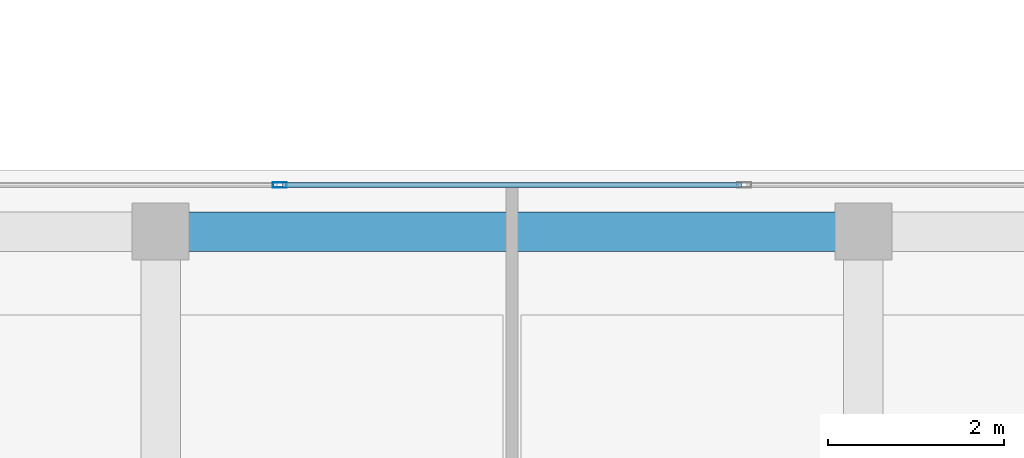
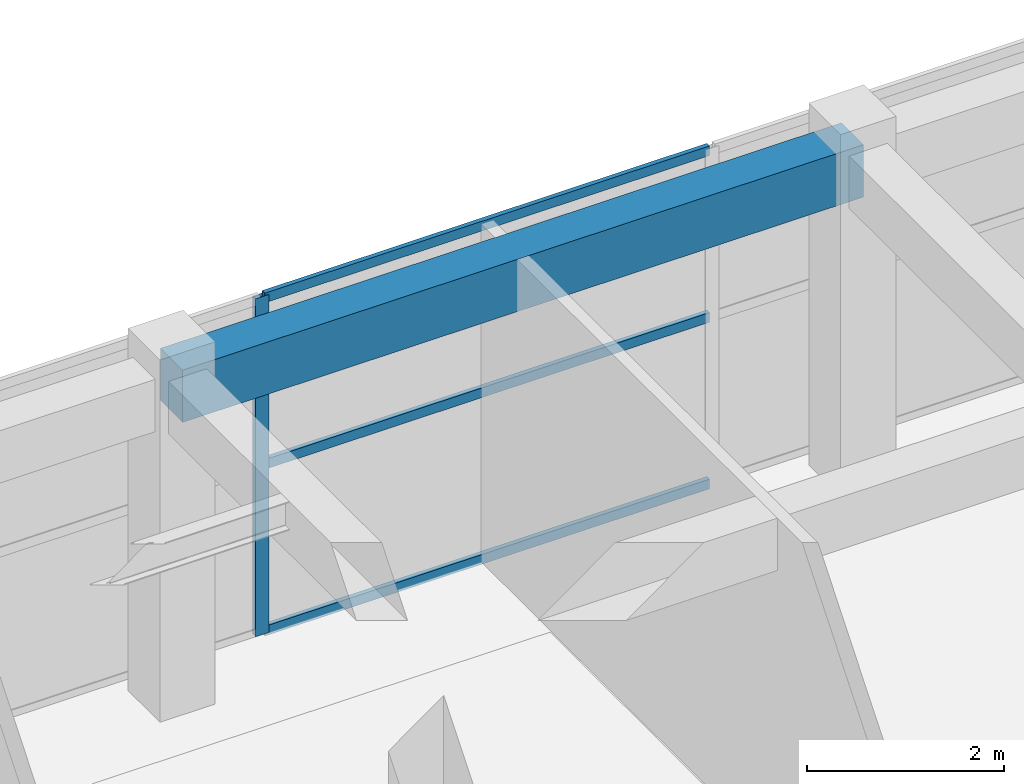
# One storey, part 15 of 28: 4 members, 1 beam, 1 element without a shape of its own.
"""IFC4 building model written with IfcOpenShell, lengths in metres."""

import ifcopenshell
import ifcopenshell.guid

model = None  # the IFC model being written
_history = None  # IfcOwnerHistory: only IFC2X3 demands one
_inside = {}  # id of a spatial element -> (the spatial element, [elements in it])
_under = {}  # id of a project, library or spatial element -> (it, [spatial elements below it])
_declared = {}  # id of a project -> (the project, [libraries it declares])
_typed = {}  # id of a type object -> (the type object, [elements of that type])
_made_of = {}  # id of a material, layer set ... -> (it, [elements and type objects made of it])


def new_model(schema):
    """Start an empty IFC model of exactly this schema.

    Asked for "IFC4X3", IfcOpenShell would pick the latest addendum, in which some entities
    have other attributes; the version numbers below select the first issue.
    IFC2X3 requires an IfcOwnerHistory on every rooted entity: one is made here for all.
    """
    global model, _history
    if schema == "IFC4X3":
        model = ifcopenshell.file(schema_version=(4, 3, 0, 0))
    else:
        model = ifcopenshell.file(schema=schema)
    _inside.clear()
    _under.clear()
    _declared.clear()
    _typed.clear()
    _made_of.clear()
    _history = None
    if model.schema == "IFC2X3":
        org = make("IfcOrganization", Name="unknown")
        user = make(
            "IfcPersonAndOrganization",
            ThePerson=make("IfcPerson", FamilyName="unknown"),
            TheOrganization=org,
        )
        app = make(
            "IfcApplication",
            ApplicationDeveloper=org,
            Version="unknown",
            ApplicationFullName="unknown",
            ApplicationIdentifier="unknown",
        )
        _history = make(
            "IfcOwnerHistory",
            OwningUser=user,
            OwningApplication=app,
            ChangeAction="ADDED",
            CreationDate=0,
        )
    return model


def make(cls, **values):
    """One entity of the class cls with the attributes given. An attribute that is None is left unset."""
    return model.create_entity(
        cls, **{name: value for name, value in values.items() if value is not None}
    )


def rooted(cls, **values):
    """An entity with a GlobalId (a new one), such as an element, a storey or a relation."""
    return make(cls, GlobalId=ifcopenshell.guid.new(), OwnerHistory=_history, **values)


def si_unit(unit_type, name, prefix=None):
    """IfcSIUnit, for example si_unit("LENGTHUNIT", "METRE", prefix="MILLI")."""
    return make("IfcSIUnit", UnitType=unit_type, Prefix=prefix, Name=name)


def assignment(units):
    """IfcUnitAssignment: the units of a project."""
    return None if units is None else make("IfcUnitAssignment", Units=units)


def point(xyz):
    """IfcCartesianPoint."""
    return None if xyz is None else make("IfcCartesianPoint", Coordinates=xyz)


def direction(xyz):
    """IfcDirection."""
    return None if xyz is None else make("IfcDirection", DirectionRatios=xyz)


def frame(location, z_axis=None, x_axis=None):
    """IfcAxis2Placement3D, a coordinate frame: its origin and axes. An axis left out is left unset."""
    return make(
        "IfcAxis2Placement3D",
        Location=point(location),
        Axis=direction(z_axis),
        RefDirection=direction(x_axis),
    )


def frame_2d(location, x_axis=None):
    """IfcAxis2Placement2D, a coordinate frame in the plane: its origin and x axis."""
    return make(
        "IfcAxis2Placement2D", Location=point(location), RefDirection=direction(x_axis)
    )


def origin():
    """The frame at (0, 0, 0) with its axes left unset."""
    return frame((0.0, 0.0, 0.0))


def origin_2d():
    """The frame at (0, 0) in the plane with its x axis left unset."""
    return frame_2d((0.0, 0.0))


def place(relative_to, where):
    """IfcLocalPlacement: puts the frame where relative to a parent placement (None: the world)."""
    return make(
        "IfcLocalPlacement", PlacementRelTo=relative_to, RelativePlacement=where
    )


def context(
    kind, dimensions, precision=None, world=None, true_north=None, identifier=None
):
    """IfcGeometricRepresentationContext, for example the 3D "Model" context."""
    return make(
        "IfcGeometricRepresentationContext",
        ContextIdentifier=identifier,
        ContextType=kind,
        CoordinateSpaceDimension=dimensions,
        Precision=precision,
        WorldCoordinateSystem=world,
        TrueNorth=true_north,
    )


def subcontext(parent, identifier, kind, view, scale=None):
    """IfcGeometricRepresentationSubContext, for example "Body" below "Model"."""
    return make(
        "IfcGeometricRepresentationSubContext",
        ContextIdentifier=identifier,
        ContextType=kind,
        ParentContext=parent,
        TargetScale=scale,
        TargetView=view,
    )


def project(units=None, contexts=None):
    """IfcProject with its units and contexts."""
    return rooted(
        "IfcProject",
        Name="project",
        RepresentationContexts=contexts,
        UnitsInContext=assignment(units),
    )


def spatial(cls, under=None, at=None, **own):
    """A site, building, storey or space (cls), placed at a placement, below another one or the project."""
    s = rooted(cls, ObjectPlacement=at, **own)
    if under is not None:
        _under.setdefault(under.id(), (under, []))[1].append(s)
    return s


def profile(cls, at=None, kind="AREA", **sizes):
    """A parametric profile (cls). Its sizes go by their IFC names, for example OverallWidth=200.0."""
    return make(cls, ProfileType=kind, Position=at, **sizes)


def rectangle(**sizes):
    """IfcRectangleProfileDef."""
    return profile("IfcRectangleProfileDef", **sizes)


def hollow_rectangle(**sizes):
    """IfcRectangleHollowProfileDef."""
    return profile("IfcRectangleHollowProfileDef", **sizes)


def extrude(swept, where, along, depth):
    """IfcExtrudedAreaSolid: the profile swept, set in the frame where, extruded along a direction by depth."""
    return make(
        "IfcExtrudedAreaSolid",
        SweptArea=swept,
        Position=where,
        ExtrudedDirection=direction(along),
        Depth=depth,
    )


def shape(context_of_items, identifier, shape_type, items):
    """IfcShapeRepresentation: the items that make up one representation, for example the "Body"."""
    return make(
        "IfcShapeRepresentation",
        ContextOfItems=context_of_items,
        RepresentationIdentifier=identifier,
        RepresentationType=shape_type,
        Items=items,
    )


def source(mapping_origin, context_of_items, identifier, shape_type, items):
    """IfcRepresentationMap: a shape defined once, which mapped items show again and again."""
    return make(
        "IfcRepresentationMap",
        MappingOrigin=mapping_origin,
        MappedRepresentation=shape(context_of_items, identifier, shape_type, items),
    )


def transform(
    local_origin,
    x_axis=None,
    y_axis=None,
    z_axis=None,
    scale=None,
    scale2=None,
    scale3=None,
    uniform=True,
):
    """IfcCartesianTransformationOperator3D, or its non-uniform kind. x_axis, y_axis, z_axis: its Axis1, 2, 3."""
    if uniform:
        return make(
            "IfcCartesianTransformationOperator3D",
            Axis1=direction(x_axis),
            Axis2=direction(y_axis),
            LocalOrigin=point(local_origin),
            Scale=scale,
            Axis3=direction(z_axis),
        )
    return make(
        "IfcCartesianTransformationOperator3DnonUniform",
        Axis1=direction(x_axis),
        Axis2=direction(y_axis),
        LocalOrigin=point(local_origin),
        Scale=scale,
        Axis3=direction(z_axis),
        Scale2=scale2,
        Scale3=scale3,
    )


def mapped(mapping_source, mapping_target):
    """IfcMappedItem: shows the shape of a source again, moved by a transform."""
    return make(
        "IfcMappedItem", MappingSource=mapping_source, MappingTarget=mapping_target
    )


def material(Name=None, Category=None):
    """IfcMaterial."""
    return make("IfcMaterial", Name=Name, Category=Category)


def layer(
    of_material, thickness, ventilated=None, Name=None, Category=None, Priority=None
):
    """IfcMaterialLayer: one layer of a wall or slab, of a material (None: an air gap)."""
    return make(
        "IfcMaterialLayer",
        Material=of_material,
        LayerThickness=thickness,
        IsVentilated=ventilated,
        Name=Name,
        Category=Category,
        Priority=Priority,
    )


def layer_set(layers, Name=None):
    """IfcMaterialLayerSet."""
    return make("IfcMaterialLayerSet", MaterialLayers=layers, LayerSetName=Name)


def material_profile(
    of_material, cross_section, Name=None, Category=None, Priority=None
):
    """IfcMaterialProfile: a cross section and its material."""
    return make(
        "IfcMaterialProfile",
        Name=Name,
        Material=of_material,
        Profile=cross_section,
        Priority=Priority,
        Category=Category,
    )


def profile_set(profiles, Name=None, composite=None):
    """IfcMaterialProfileSet."""
    return make(
        "IfcMaterialProfileSet",
        Name=Name,
        MaterialProfiles=profiles,
        CompositeProfile=composite,
    )


def made_of(thing, what):
    """Note that an element or type object is made of a material, layer set ...; save() writes the relation."""
    if what is not None:
        _made_of.setdefault(what.id(), (what, []))[1].append(thing)
    return thing


def type_object(cls, material=None, **own):
    """A type object (cls), such as IfcWallType, which elements share."""
    return made_of(rooted(cls, **own), material)


def element(
    cls,
    number,
    at=None,
    inside=None,
    cuts=None,
    type_object=None,
    material=None,
    context=None,
    identifier="Body",
    shape_type=None,
    held_by="IfcProductDefinitionShape",
    body=None,
    shapes=None,
    **own,
):
    """One element of the class cls, such as IfcWall. Its Tag is "e" and its number.

    at: its placement. inside: the storey or other place that contains it. cuts: it is an
    opening in that element (IfcRelVoidsElement). A single representation is given by context,
    identifier, shape_type and body (its items); several are given by shapes. held_by: the class
    of the entity that holds the representations. save() writes the other relations.
    """
    e = rooted(cls, Tag="e%d" % number, ObjectPlacement=at, **own)
    if body is not None:
        shapes = [shape(context, identifier, shape_type, body)]
    if shapes is not None:
        e.Representation = make(held_by, Representations=shapes)
    if inside is not None:
        _inside.setdefault(inside.id(), (inside, []))[1].append(e)
    if cuts is not None:
        rooted(
            "IfcRelVoidsElement", RelatingBuildingElement=cuts, RelatedOpeningElement=e
        )
    if type_object is not None:
        _typed.setdefault(type_object.id(), (type_object, []))[1].append(e)
    return made_of(e, material)


def aggregate(whole, parts):
    """IfcRelAggregates: a whole, such as a stair, and the parts it consists of."""
    return rooted("IfcRelAggregates", RelatingObject=whole, RelatedObjects=parts)


def save(model, path):
    """Write the relations noted so far, then the file.

    IfcRelAggregates (storeys below a building ...), IfcRelContainedInSpatialStructure (elements
    in a storey), IfcRelDefinesByType, IfcRelAssociatesMaterial and IfcRelDeclares: one each for
    every whole, place, type object, material and project.
    """
    for whole, parts in _under.values():
        aggregate(whole, parts)
    for where, things in _inside.values():
        rooted(
            "IfcRelContainedInSpatialStructure",
            RelatedElements=things,
            RelatingStructure=where,
        )
    for kind, things in _typed.values():
        rooted("IfcRelDefinesByType", RelatedObjects=things, RelatingType=kind)
    for what, things in _made_of.values():
        rooted("IfcRelAssociatesMaterial", RelatedObjects=things, RelatingMaterial=what)
    for by, libraries in _declared.values():
        rooted("IfcRelDeclares", RelatingContext=by, RelatedDefinitions=libraries)
    model.write(path)


model = new_model("IFC4")

# Units and contexts
model_context = context("Model", 3, precision=1e-05, world=origin(), true_north=direction((0.0, 1.0)))
body_context = subcontext(model_context, "Body", "Model", "MODEL_VIEW")
ifc_project = project(units=[si_unit("LENGTHUNIT", "METRE"), si_unit("AREAUNIT", "SQUARE_METRE"), si_unit("VOLUMEUNIT", "CUBIC_METRE"), si_unit("PLANEANGLEUNIT", "RADIAN"), si_unit("MASSUNIT", "GRAM", prefix="KILO")], contexts=[model_context])

# Site, building, storey
site_placement = place(None, origin())
site = spatial("IfcSite", under=ifc_project, at=site_placement, CompositionType="ELEMENT")
building_placement = place(site_placement, origin())
building = spatial("IfcBuilding", under=site, at=building_placement, Name="Khoralis Quay Care Tower", CompositionType="ELEMENT")
storey_placement = place(building_placement, frame((0.0, 0.0, 9.0)))
storey = spatial("IfcBuildingStorey", under=building, at=storey_placement, Name="L02", CompositionType="ELEMENT", Elevation=9.0)

# Beam
ifc_material_1 = material(Name="Concrete C40/50", Category="concrete")
ifc_material_profile_1 = material_profile(ifc_material_1, rectangle(XDim=0.449951171875, YDim=0.64990234375, at=origin_2d()), Name="Concrete C40/50")
ifc_profile_set_1 = profile_set([ifc_material_profile_1], Name="Concrete C40/50")
beam_type = type_object("IfcBeamType", Name="BM-RC450X650", PredefinedType="BEAM", material=ifc_profile_set_1)
shared_shape_1 = source(origin(), body_context, "Body", "SweptSolid", [
    extrude(rectangle(XDim=0.449951171875, YDim=0.64990234375, at=origin_2d()), origin(), (0.0, 0.0, 1.0), 8.0),
])
beam_placement = place(storey_placement, frame((84.0, 41.300048828125, 3.875), z_axis=(1.0, 0.0, 0.0), x_axis=(0.0, 1.0, 0.0)))
element("IfcBeam", 1, at=beam_placement, inside=storey, type_object=beam_type, Name="BM-SCX-L02-30", PredefinedType="BEAM", context=body_context, shape_type="MappedRepresentation", body=[
    mapped(shared_shape_1, transform((0.0, 0.0, 0.0), scale=1.0)),
])

# Curtain wall, members
ifc_material_2 = material(Name="Pale anodised aluminium", Category="aluminium")
ifc_layer = layer(ifc_material_2, 0.14990234375)
ifc_layer_set = layer_set([ifc_layer], Name="Pale anodised aluminium")
curtain_wall_type = type_object("IfcCurtainWallType", Name="CW-SYS-SCHOOL", PredefinedType="NOTDEFINED", material=ifc_layer_set)
curtain_wall_placement = place(storey_placement, origin())
curtain_wall = element("IfcCurtainWall", 2, at=curtain_wall_placement, inside=storey, type_object=curtain_wall_type, Name="L02 Unitised Curtain Wall CW-SCH-L02-E3", PredefinedType="NOTDEFINED")
ifc_material_profile_2 = material_profile(ifc_material_2, hollow_rectangle(XDim=0.06005859375, YDim=0.159912109375, WallThickness=0.00390625, at=origin_2d()), Name="Pale anodised aluminium")
ifc_profile_set_2 = profile_set([ifc_material_profile_2], Name="Pale anodised aluminium")
member_type_1 = type_object("IfcMemberType", Name="CW-MUL-160", PredefinedType="MULLION", material=ifc_profile_set_2)
shared_shape_2 = source(origin(), body_context, "Body", "SweptSolid", [
    extrude(hollow_rectangle(XDim=0.06005859375, YDim=0.159912109375, WallThickness=0.00390625, at=origin_2d()), origin(), (0.0, 0.0, 1.0), 4.199951171875),
])
member_1_placement = place(storey_placement, frame((85.35595703125, 41.830078125, 0.0), z_axis=(0.0, 0.0, 1.0), x_axis=(0.0, -1.0, 0.0)))
member_1 = element("IfcMember", 3, at=member_1_placement, type_object=member_type_1, Name="CW6 mullion 3", PredefinedType="MULLION", context=body_context, shape_type="MappedRepresentation", body=[
    mapped(shared_shape_2, transform((0.0, 0.0, 0.0), scale=1.0)),
])
ifc_material_profile_3 = material_profile(ifc_material_2, hollow_rectangle(XDim=0.054931640625, YDim=0.1201171875, WallThickness=0.00390625, at=origin_2d()), Name="Pale anodised aluminium")
ifc_profile_set_3 = profile_set([ifc_material_profile_3], Name="Pale anodised aluminium")
member_type_2 = type_object("IfcMemberType", Name="CW-TRN-120", PredefinedType="USERDEFINED", material=ifc_profile_set_3)
shared_shape_3 = source(origin(), body_context, "Body", "SweptSolid", [
    extrude(hollow_rectangle(XDim=0.054931640625, YDim=0.1201171875, WallThickness=0.00390625, at=origin_2d()), origin(), (0.0, 0.0, 1.0), 5.22802734375),
])
member_2_placement = place(storey_placement, frame((90.614013671875, 41.830078125, 0.030029296875), z_axis=(-1.0, 0.0, 0.0), x_axis=(0.0, -1.0, 0.0)))
member_2 = element("IfcMember", 4, at=member_2_placement, type_object=member_type_2, Name="CW6 transom 2.1", ObjectType="TRANSOM", PredefinedType="USERDEFINED", context=body_context, shape_type="MappedRepresentation", body=[
    mapped(shared_shape_3, transform((0.0, 0.0, 0.0), scale=1.0)),
])
member_3_placement = place(storey_placement, frame((90.614013671875, 41.830078125, 2.10009765625), z_axis=(-1.0, 0.0, 0.0), x_axis=(0.0, -1.0, 0.0)))
member_3 = element("IfcMember", 5, at=member_3_placement, type_object=member_type_2, Name="CW6 transom 2.2", ObjectType="TRANSOM", PredefinedType="USERDEFINED", context=body_context, shape_type="MappedRepresentation", body=[
    mapped(shared_shape_3, transform((0.0, 0.0, 0.0), scale=1.0)),
])
member_4_placement = place(storey_placement, frame((90.614013671875, 41.830078125, 4.169921875), z_axis=(-1.0, 0.0, 0.0), x_axis=(0.0, -1.0, 0.0)))
member_4 = element("IfcMember", 6, at=member_4_placement, type_object=member_type_2, Name="CW6 transom 2.3", ObjectType="TRANSOM", PredefinedType="USERDEFINED", context=body_context, shape_type="MappedRepresentation", body=[
    mapped(shared_shape_3, transform((0.0, 0.0, 0.0), scale=1.0)),
])
aggregate(curtain_wall, [member_1, member_2, member_3, member_4])

save(model, "model.ifc")
